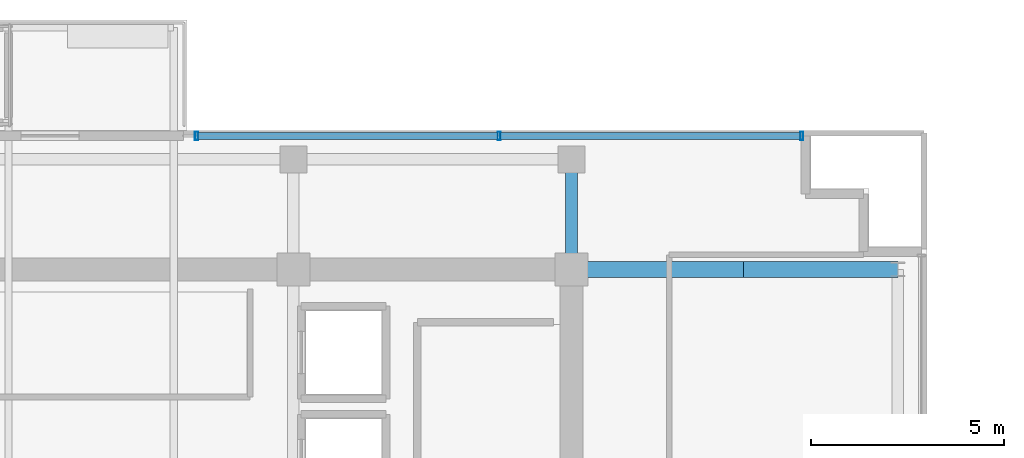
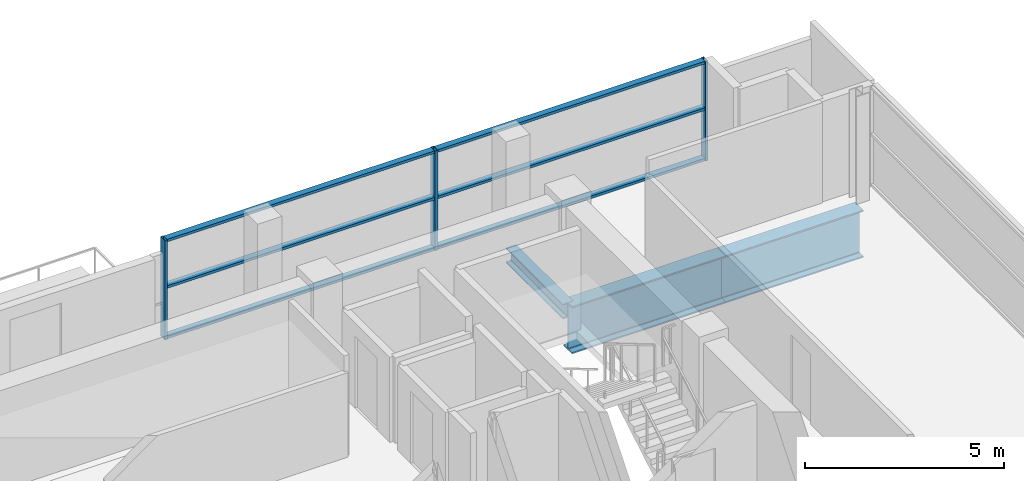
# One storey, part 12 of 23: 9 members, 3 beams, 1 element without a shape of its own.
"""IFC4 building model written with IfcOpenShell, lengths in metres."""

from ifc_helpers import new_model, si_unit, direction, frame, origin, origin_2d, place, context, subcontext, project, spatial, hollow_rectangle, i_section, extrude, source, transform, mapped, material, layer, layer_set, material_profile, profile_set, type_object, element, aggregate, save


model = new_model("IFC4")

# Units and contexts
model_context = context("Model", 3, precision=1e-05, world=origin(), true_north=direction((0.0, 1.0)))
body_context = subcontext(model_context, "Body", "Model", "MODEL_VIEW")
ifc_project = project(units=[si_unit("LENGTHUNIT", "METRE"), si_unit("AREAUNIT", "SQUARE_METRE"), si_unit("VOLUMEUNIT", "CUBIC_METRE"), si_unit("PLANEANGLEUNIT", "RADIAN"), si_unit("MASSUNIT", "GRAM", prefix="KILO")], contexts=[model_context])

# Site, building, storey
site_placement = place(None, origin())
site = spatial("IfcSite", under=ifc_project, at=site_placement, CompositionType="ELEMENT")
building_placement = place(site_placement, origin())
building = spatial("IfcBuilding", under=site, at=building_placement, Name="Zarnakvel Exchange Tower", CompositionType="ELEMENT")
storey_placement = place(building_placement, frame((0.0, 0.0, 232.0)))
storey = spatial("IfcBuildingStorey", under=building, at=storey_placement, Name="L65", CompositionType="ELEMENT", Elevation=232.0)

# Beams
ifc_material_1 = material(Name="Steel S355", Category="steel")
ifc_material_profile_1 = material_profile(ifc_material_1, i_section(OverallWidth=0.300048828125, OverallDepth=0.449951171875, WebThickness=0.013916015625, FlangeThickness=0.02587890625, FilletRadius=0.027099609375, at=origin_2d()))
ifc_profile_set_1 = profile_set([ifc_material_profile_1], Name="Steel S355")
beam_type_1 = type_object("IfcBeamType", Name="G-07", PredefinedType="BEAM", material=ifc_profile_set_1)
beam_1_placement = place(storey_placement, frame((14.39990234375, 13.5, -0.449951171875), z_axis=(0.0, 1.0, 0.0), x_axis=(-1.0, 0.0, 0.0)))
element("IfcBeam", 1, at=beam_1_placement, inside=storey, type_object=beam_type_1, Name="L65 Tower N-S Frame Beam", PredefinedType="BEAM", context=body_context, shape_type="SweptSolid", body=[
    extrude(i_section(OverallWidth=0.300048828125, OverallDepth=0.449951171875, WebThickness=0.013916015625, FlangeThickness=0.02587890625, FilletRadius=0.027099609375, at=origin_2d()), origin(), (0.0, 0.0, 1.0), 2.85009765625),
])
ifc_material_2 = material(Name="Steel S460", Category="steel")
ifc_material_profile_2 = material_profile(ifc_material_2, i_section(OverallWidth=0.419921875, OverallDepth=1.449951171875, WebThickness=0.02392578125, FlangeThickness=0.0400390625, FilletRadius=0.030029296875, at=origin_2d()))
ifc_profile_set_2 = profile_set([ifc_material_profile_2], Name="Steel S460")
beam_type_2 = type_object("IfcBeamType", Name="TG-01", PredefinedType="BEAM", material=ifc_profile_set_2)
beam_2_placement = place(storey_placement, frame((14.39990234375, 13.5, -0.949951171875), z_axis=(1.0, 0.0, 0.0), x_axis=(0.0, 1.0, 0.0)))
element("IfcBeam", 2, at=beam_2_placement, inside=storey, type_object=beam_type_2, Name="L65 Block-Shift Backspan Transfer TE-F", PredefinedType="BEAM", context=body_context, shape_type="SweptSolid", body=[
    extrude(i_section(OverallWidth=0.419921875, OverallDepth=1.449951171875, WebThickness=0.02392578125, FlangeThickness=0.0400390625, FilletRadius=0.030029296875, at=origin_2d()), origin(), (0.0, 0.0, 1.0), 4.4501953125),
])
beam_3_placement = place(storey_placement, frame((18.85009765625, 13.5, -0.949951171875), z_axis=(1.0, 0.0, 0.0), x_axis=(0.0, 1.0, 0.0)))
element("IfcBeam", 3, at=beam_3_placement, inside=storey, type_object=beam_type_2, Name="L65 Block-Shift Cantilever Transfer TE-F", PredefinedType="BEAM", context=body_context, shape_type="SweptSolid", body=[
    extrude(i_section(OverallWidth=0.419921875, OverallDepth=1.449951171875, WebThickness=0.02392578125, FlangeThickness=0.0400390625, FilletRadius=0.030029296875, at=origin_2d()), origin(), (0.0, 0.0, 1.0), 4.0),
])

# Curtain wall, members
ifc_material_3 = material(Name="Architectural Bronze Anodised Aluminium", Category="aluminium")
ifc_layer = layer(ifc_material_3, 0.219970703125)
ifc_layer_set = layer_set([ifc_layer], Name="Architectural Bronze Anodised Aluminium")
curtain_wall_type = type_object("IfcCurtainWallType", Name="CW-03", PredefinedType="NOTDEFINED", material=ifc_layer_set)
curtain_wall_placement = place(storey_placement, origin())
curtain_wall = element("IfcCurtainWall", 4, at=curtain_wall_placement, inside=storey, type_object=curtain_wall_type, Name="L65 Curtain Wall CW-L65-N1 (CW-03)", PredefinedType="NOTDEFINED")
ifc_material_profile_3 = material_profile(ifc_material_3, hollow_rectangle(XDim=0.219970703125, YDim=0.080078125, WallThickness=0.0048828125, at=origin_2d()))
ifc_profile_set_3 = profile_set([ifc_material_profile_3], Name="Architectural Bronze Anodised Aluminium")
member_type_1 = type_object("IfcMemberType", Name="CWM-03", PredefinedType="MULLION", material=ifc_profile_set_3)
shared_shape_1 = source(origin(), body_context, "Body", "SweptSolid", [
    extrude(hollow_rectangle(XDim=0.219970703125, YDim=0.080078125, WallThickness=0.0048828125, at=origin_2d()), origin(), (0.0, 0.0, 1.0), 3.054931640625),
])
member_1_placement = place(storey_placement, frame((4.68994140625, 16.9599609375, 0.0), z_axis=(0.0, 0.0, 1.0), x_axis=(0.0, 1.0, 0.0)))
member_1 = element("IfcMember", 5, at=member_1_placement, type_object=member_type_1, Name="CW-03 mullion 1", PredefinedType="MULLION", context=body_context, shape_type="MappedRepresentation", body=[
    mapped(shared_shape_1, transform((0.0, 0.0, 0.0), x_axis=(1.0, 0.0, 0.0), y_axis=(0.0, 1.0, 0.0), z_axis=(0.0, 0.0, 1.0), scale=1.0)),
])
member_2_placement = place(storey_placement, frame((12.52490234375, 16.9599609375, 0.0), z_axis=(0.0, 0.0, 1.0), x_axis=(0.0, 1.0, 0.0)))
member_2 = element("IfcMember", 6, at=member_2_placement, type_object=member_type_1, Name="CW-03 mullion 2", PredefinedType="MULLION", context=body_context, shape_type="MappedRepresentation", body=[
    mapped(shared_shape_1, transform((0.0, 0.0, 0.0), x_axis=(1.0, 0.0, 0.0), y_axis=(0.0, 1.0, 0.0), z_axis=(0.0, 0.0, 1.0), scale=1.0)),
])
member_3_placement = place(storey_placement, frame((20.360107421875, 16.9599609375, 0.0), z_axis=(0.0, 0.0, 1.0), x_axis=(0.0, 1.0, 0.0)))
member_3 = element("IfcMember", 7, at=member_3_placement, type_object=member_type_1, Name="CW-03 mullion 3", PredefinedType="MULLION", context=body_context, shape_type="MappedRepresentation", body=[
    mapped(shared_shape_1, transform((0.0, 0.0, 0.0), x_axis=(1.0, 0.0, 0.0), y_axis=(0.0, 1.0, 0.0), z_axis=(0.0, 0.0, 1.0), scale=1.0)),
])
ifc_material_profile_4 = material_profile(ifc_material_3, hollow_rectangle(XDim=0.179931640625, YDim=0.080078125, WallThickness=0.00390625, at=origin_2d()))
ifc_profile_set_4 = profile_set([ifc_material_profile_4], Name="Architectural Bronze Anodised Aluminium")
member_type_2 = type_object("IfcMemberType", Name="CWT-03", PredefinedType="USERDEFINED", material=ifc_profile_set_4)
shared_shape_2 = source(origin(), body_context, "Body", "SweptSolid", [
    extrude(hollow_rectangle(XDim=0.179931640625, YDim=0.080078125, WallThickness=0.00390625, at=origin_2d()), origin(), (0.0, 0.0, 1.0), 7.755126953125),
])
member_4_placement = place(storey_placement, frame((4.72998046875, 16.9599609375, 0.0400390625), z_axis=(1.0, 0.0, 0.0), x_axis=(0.0, 1.0, 0.0)))
member_4 = element("IfcMember", 8, at=member_4_placement, type_object=member_type_2, Name="CW-03 transom 1.1", ObjectType="TRANSOM", PredefinedType="USERDEFINED", context=body_context, shape_type="MappedRepresentation", body=[
    mapped(shared_shape_2, transform((0.0, 0.0, 0.0), x_axis=(1.0, 0.0, 0.0), y_axis=(0.0, 1.0, 0.0), z_axis=(0.0, 0.0, 1.0), scale=1.0)),
])
member_5_placement = place(storey_placement, frame((4.72998046875, 16.9599609375, 1.588623046875), z_axis=(1.0, 0.0, 0.0), x_axis=(0.0, 1.0, 0.0)))
member_5 = element("IfcMember", 9, at=member_5_placement, type_object=member_type_2, Name="CW-03 transom 1.2", ObjectType="TRANSOM", PredefinedType="USERDEFINED", context=body_context, shape_type="MappedRepresentation", body=[
    mapped(shared_shape_2, transform((0.0, 0.0, 0.0), x_axis=(1.0, 0.0, 0.0), y_axis=(0.0, 1.0, 0.0), z_axis=(0.0, 0.0, 1.0), scale=1.0)),
])
member_6_placement = place(storey_placement, frame((4.72998046875, 16.9599609375, 3.014892578125), z_axis=(1.0, 0.0, 0.0), x_axis=(0.0, 1.0, 0.0)))
member_6 = element("IfcMember", 10, at=member_6_placement, type_object=member_type_2, Name="CW-03 transom 1.3", ObjectType="TRANSOM", PredefinedType="USERDEFINED", context=body_context, shape_type="MappedRepresentation", body=[
    mapped(shared_shape_2, transform((0.0, 0.0, 0.0), x_axis=(1.0, 0.0, 0.0), y_axis=(0.0, 1.0, 0.0), z_axis=(0.0, 0.0, 1.0), scale=1.0)),
])
member_7_placement = place(storey_placement, frame((12.56494140625, 16.9599609375, 0.0400390625), z_axis=(1.0, 0.0, 0.0), x_axis=(0.0, 1.0, 0.0)))
member_7 = element("IfcMember", 11, at=member_7_placement, type_object=member_type_2, Name="CW-03 transom 2.1", ObjectType="TRANSOM", PredefinedType="USERDEFINED", context=body_context, shape_type="MappedRepresentation", body=[
    mapped(shared_shape_2, transform((0.0, 0.0, 0.0), x_axis=(1.0, 0.0, 0.0), y_axis=(0.0, 1.0, 0.0), z_axis=(0.0, 0.0, 1.0), scale=1.0)),
])
member_8_placement = place(storey_placement, frame((12.56494140625, 16.9599609375, 1.588623046875), z_axis=(1.0, 0.0, 0.0), x_axis=(0.0, 1.0, 0.0)))
member_8 = element("IfcMember", 12, at=member_8_placement, type_object=member_type_2, Name="CW-03 transom 2.2", ObjectType="TRANSOM", PredefinedType="USERDEFINED", context=body_context, shape_type="MappedRepresentation", body=[
    mapped(shared_shape_2, transform((0.0, 0.0, 0.0), x_axis=(1.0, 0.0, 0.0), y_axis=(0.0, 1.0, 0.0), z_axis=(0.0, 0.0, 1.0), scale=1.0)),
])
member_9_placement = place(storey_placement, frame((12.56494140625, 16.9599609375, 3.014892578125), z_axis=(1.0, 0.0, 0.0), x_axis=(0.0, 1.0, 0.0)))
member_9 = element("IfcMember", 13, at=member_9_placement, type_object=member_type_2, Name="CW-03 transom 2.3", ObjectType="TRANSOM", PredefinedType="USERDEFINED", context=body_context, shape_type="MappedRepresentation", body=[
    mapped(shared_shape_2, transform((0.0, 0.0, 0.0), x_axis=(1.0, 0.0, 0.0), y_axis=(0.0, 1.0, 0.0), z_axis=(0.0, 0.0, 1.0), scale=1.0)),
])
aggregate(curtain_wall, [member_1, member_2, member_3, member_4, member_5, member_6, member_7, member_8, member_9])

save(model, "model.ifc")
